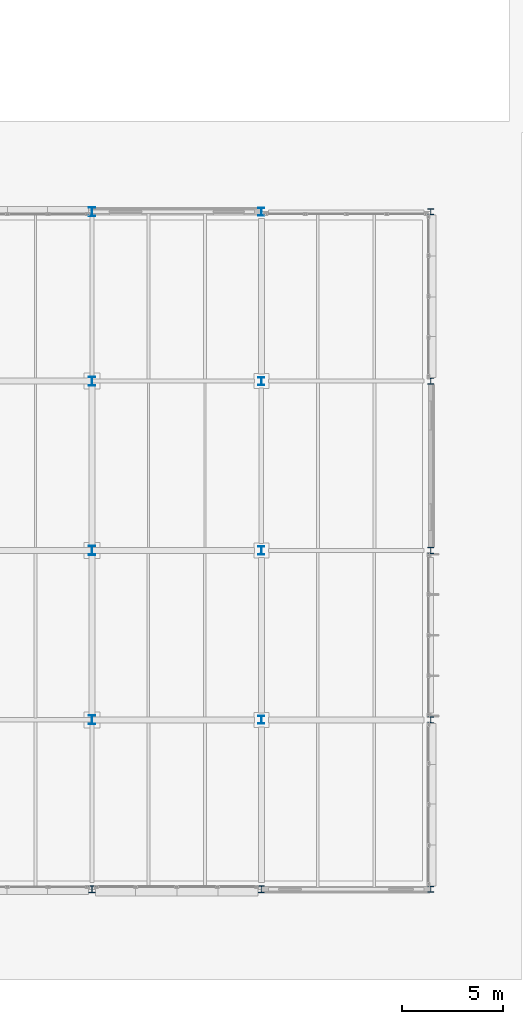
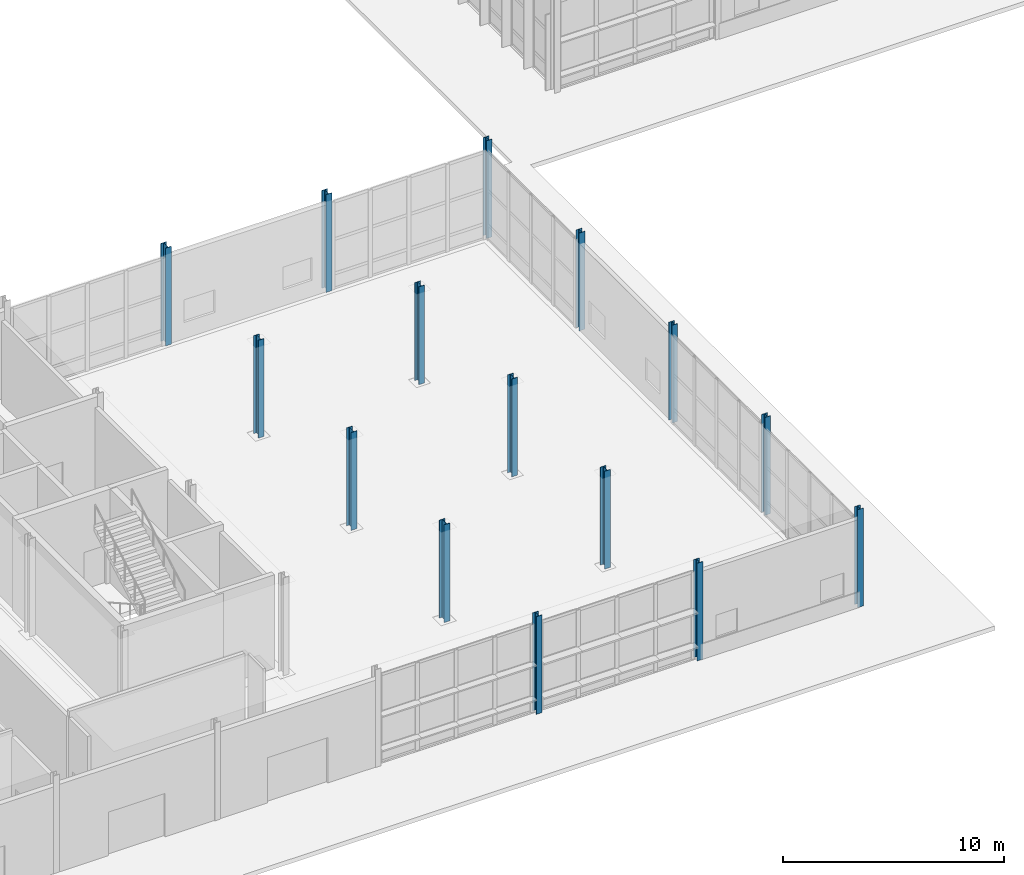
# One storey, part 14 of 124: 15 columns.
"""IFC4 building model written with IfcOpenShell, lengths in metres."""

from ifc_helpers import new_model, si_unit, direction, frame, origin, origin_2d, place, context, subcontext, project, spatial, i_section, extrude, material, material_profile, profile_set, type_object, element, save


model = new_model("IFC4")

# Units and contexts
model_context = context("Model", 3, precision=1e-05, world=origin(), true_north=direction((0.0, 1.0)))
body_context = subcontext(model_context, "Body", "Model", "MODEL_VIEW")
ifc_project = project(units=[si_unit("LENGTHUNIT", "METRE"), si_unit("AREAUNIT", "SQUARE_METRE"), si_unit("VOLUMEUNIT", "CUBIC_METRE"), si_unit("PLANEANGLEUNIT", "RADIAN"), si_unit("MASSUNIT", "GRAM", prefix="KILO")], contexts=[model_context])

# Site, building, storey
site_placement = place(None, origin())
site = spatial("IfcSite", under=ifc_project, at=site_placement, CompositionType="ELEMENT")
building_placement = place(site_placement, origin())
building = spatial("IfcBuilding", under=site, at=building_placement, Name="Mersafa Astral City Hall", CompositionType="ELEMENT")
storey_placement = place(building_placement, origin())
storey = spatial("IfcBuildingStorey", under=building, at=storey_placement, Name="L00", CompositionType="ELEMENT", Elevation=0.0)

# Columns
ifc_material = material(Name="Steel S355", Category="steel")
ifc_material_profile_1 = material_profile(ifc_material, i_section(OverallWidth=0.300048828125, OverallDepth=0.300048828125, WebThickness=0.010986328125, FlangeThickness=0.01904296875, FilletRadius=0.027099609375, at=origin_2d()), Name="HEB 300")
ifc_profile_set_1 = profile_set([ifc_material_profile_1], Name="Steel S355")
column_type_1 = type_object("IfcColumnType", Name="STR-COL-HEB300", PredefinedType="COLUMN", material=ifc_profile_set_1)
for number, where, z_axis, x_axis, name in (
    (1, (151.199951171875, 0.0, 0.0), (0.0, 0.0, 1.0), (1.0, 0.0, 0.0), "L00 Structural column G-18-00"),
    (2, (151.199951171875, 8.39990234375, 0.0), (0.0, 0.0, 1.0), (1.0, 0.0, 0.0), "L00 Structural column G-18-01"),
    (3, (151.199951171875, 16.800048828125, 0.0), (0.0, 0.0, 1.0), (1.0, 0.0, 0.0), "L00 Structural column G-18-02"),
    (4, (151.199951171875, 25.199951171875, 0.0), (0.0, 0.0, 1.0), (1.0, 0.0, 0.0), "L00 Structural column G-18-03"),
    (5, (151.199951171875, 33.60009765625, 0.0), (0.0, 0.0, 1.0), (1.0, 0.0, 0.0), "L00 Structural column G-18-04"),
):
    element("IfcColumn", number, at=place(storey_placement, frame(where, z_axis=z_axis, x_axis=x_axis)), inside=storey, type_object=column_type_1, Name=name, PredefinedType="COLUMN", context=body_context, shape_type="SweptSolid", body=[
        extrude(i_section(OverallWidth=0.300048828125, OverallDepth=0.300048828125, WebThickness=0.010986328125, FlangeThickness=0.01904296875, FilletRadius=0.027099609375, at=origin_2d()), origin(), (0.0, 0.0, 1.0), 5.39990234375),
    ])
ifc_material_profile_2 = material_profile(ifc_material, i_section(OverallWidth=0.300048828125, OverallDepth=0.340087890625, WebThickness=0.011962890625, FlangeThickness=0.021484375, FilletRadius=0.027099609375, at=origin_2d()), Name="HEB 340")
ifc_profile_set_2 = profile_set([ifc_material_profile_2], Name="Steel S355")
column_type_2 = type_object("IfcColumnType", Name="STR-COL-HEB340", PredefinedType="COLUMN", material=ifc_profile_set_2)
column_1_placement = place(storey_placement, frame((142.800048828125, 0.0, 0.0), z_axis=(0.0, 0.0, 1.0), x_axis=(1.0, 0.0, 0.0)))
element("IfcColumn", 6, at=column_1_placement, inside=storey, type_object=column_type_2, Name="L00 Structural column G-17-00", PredefinedType="COLUMN", context=body_context, shape_type="SweptSolid", body=[
    extrude(i_section(OverallWidth=0.300048828125, OverallDepth=0.340087890625, WebThickness=0.011962890625, FlangeThickness=0.021484375, FilletRadius=0.027099609375, at=origin_2d()), origin(), (0.0, 0.0, 1.0), 5.39990234375),
])
ifc_material_profile_3 = material_profile(ifc_material, i_section(OverallWidth=0.300048828125, OverallDepth=0.360107421875, WebThickness=0.012451171875, FlangeThickness=0.0224609375, FilletRadius=0.027099609375, at=origin_2d()), Name="HEB 360")
ifc_profile_set_3 = profile_set([ifc_material_profile_3], Name="Steel S355")
column_type_3 = type_object("IfcColumnType", Name="STR-COL-HEB360", PredefinedType="COLUMN", material=ifc_profile_set_3)
column_2_placement = place(storey_placement, frame((134.39990234375, 0.0, 0.0), z_axis=(0.0, 0.0, 1.0), x_axis=(1.0, 0.0, 0.0)))
element("IfcColumn", 7, at=column_2_placement, inside=storey, type_object=column_type_3, Name="L00 Structural column G-16-00", PredefinedType="COLUMN", context=body_context, shape_type="SweptSolid", body=[
    extrude(i_section(OverallWidth=0.300048828125, OverallDepth=0.360107421875, WebThickness=0.012451171875, FlangeThickness=0.0224609375, FilletRadius=0.027099609375, at=origin_2d()), origin(), (0.0, 0.0, 1.0), 5.39990234375),
])
ifc_material_profile_4 = material_profile(ifc_material, i_section(OverallWidth=0.300048828125, OverallDepth=0.39990234375, WebThickness=0.013427734375, FlangeThickness=0.02392578125, FilletRadius=0.027099609375, at=origin_2d()), Name="HEB 400")
ifc_profile_set_4 = profile_set([ifc_material_profile_4], Name="Steel S355")
column_type_4 = type_object("IfcColumnType", Name="STR-COL-HEB400", PredefinedType="COLUMN", material=ifc_profile_set_4)
for number, where, z_axis, x_axis, name in (
    (8, (142.800048828125, 8.39990234375, 0.0), (0.0, 0.0, 1.0), (1.0, 0.0, 0.0), "L00 Structural column G-17-01"),
    (9, (142.800048828125, 16.800048828125, 0.0), (0.0, 0.0, 1.0), (1.0, 0.0, 0.0), "L00 Structural column G-17-02"),
    (10, (142.800048828125, 25.199951171875, 0.0), (0.0, 0.0, 1.0), (1.0, 0.0, 0.0), "L00 Structural column G-17-03"),
    (11, (142.800048828125, 33.60009765625, 0.0), (0.0, 0.0, 1.0), (1.0, 0.0, 0.0), "L00 Structural column G-17-04"),
):
    element("IfcColumn", number, at=place(storey_placement, frame(where, z_axis=z_axis, x_axis=x_axis)), inside=storey, type_object=column_type_4, Name=name, PredefinedType="COLUMN", context=body_context, shape_type="SweptSolid", body=[
        extrude(i_section(OverallWidth=0.300048828125, OverallDepth=0.39990234375, WebThickness=0.013427734375, FlangeThickness=0.02392578125, FilletRadius=0.027099609375, at=origin_2d()), origin(), (0.0, 0.0, 1.0), 5.39990234375),
    ])
ifc_material_profile_5 = material_profile(ifc_material, i_section(OverallWidth=0.300048828125, OverallDepth=0.449951171875, WebThickness=0.013916015625, FlangeThickness=0.02587890625, FilletRadius=0.027099609375, at=origin_2d()), Name="HEB 450")
ifc_profile_set_5 = profile_set([ifc_material_profile_5], Name="Steel S355")
column_type_5 = type_object("IfcColumnType", Name="STR-COL-HEB450", PredefinedType="COLUMN", material=ifc_profile_set_5)
for number, where, z_axis, x_axis, name in (
    (12, (134.39990234375, 8.39990234375, 0.0), (0.0, 0.0, 1.0), (1.0, 0.0, 0.0), "L00 Structural column G-16-01"),
    (13, (134.39990234375, 16.800048828125, 0.0), (0.0, 0.0, 1.0), (1.0, 0.0, 0.0), "L00 Structural column G-16-02"),
    (14, (134.39990234375, 25.199951171875, 0.0), (0.0, 0.0, 1.0), (1.0, 0.0, 0.0), "L00 Structural column G-16-03"),
    (15, (134.39990234375, 33.60009765625, 0.0), (0.0, 0.0, 1.0), (1.0, 0.0, 0.0), "L00 Structural column G-16-04"),
):
    element("IfcColumn", number, at=place(storey_placement, frame(where, z_axis=z_axis, x_axis=x_axis)), inside=storey, type_object=column_type_5, Name=name, PredefinedType="COLUMN", context=body_context, shape_type="SweptSolid", body=[
        extrude(i_section(OverallWidth=0.300048828125, OverallDepth=0.449951171875, WebThickness=0.013916015625, FlangeThickness=0.02587890625, FilletRadius=0.027099609375, at=origin_2d()), origin(), (0.0, 0.0, 1.0), 5.39990234375),
    ])

save(model, "model.ifc")
